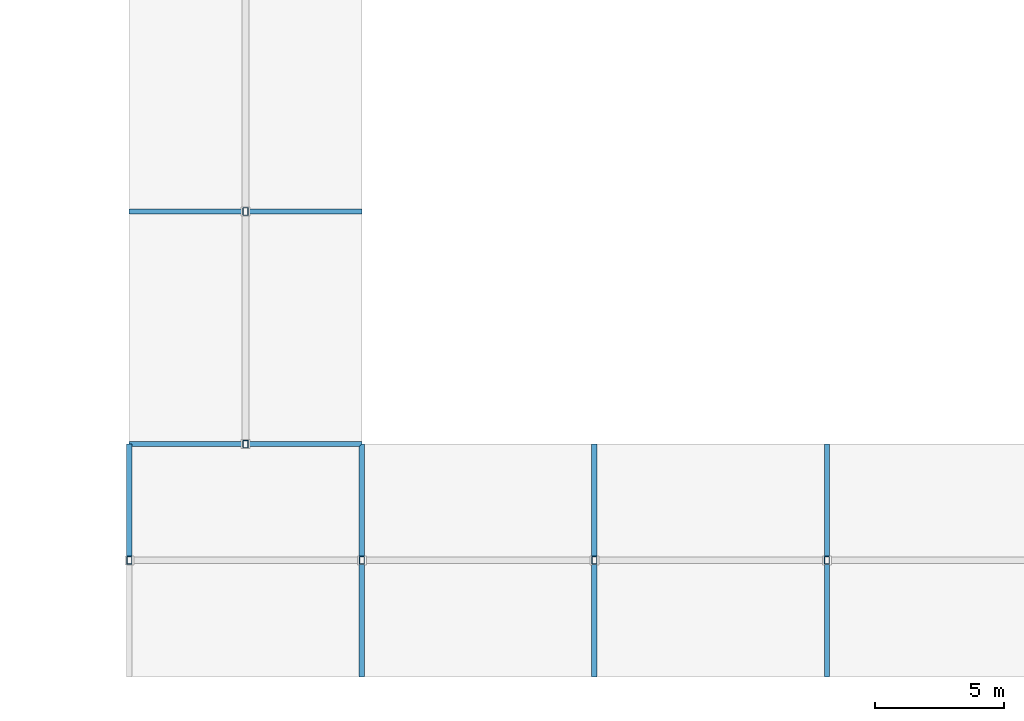
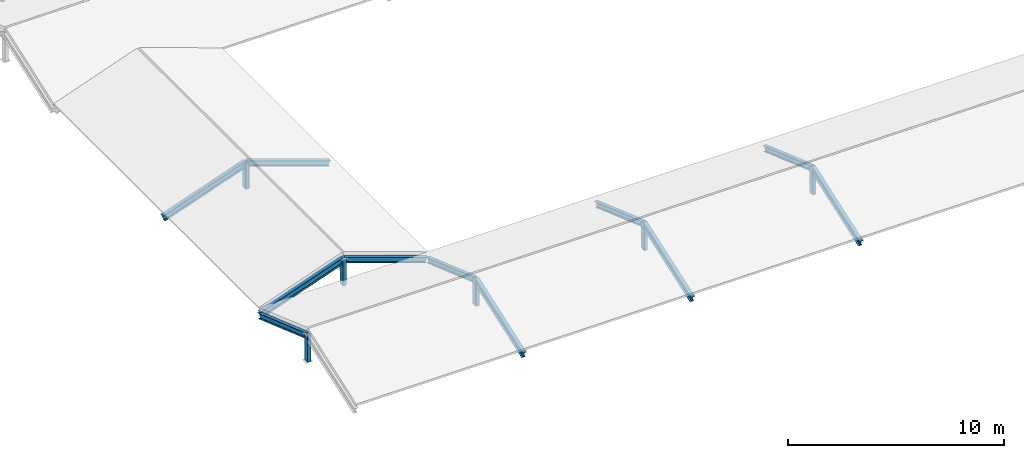
# One storey, part 8 of 80: 17 members.
"""IFC4 building model written with IfcOpenShell, lengths in metres."""

from ifc_helpers import new_model, si_unit, direction, frame, origin, origin_2d, place, context, subcontext, project, spatial, hollow_rectangle, i_section, extrude, material, material_profile, profile_set, type_object, element, save


model = new_model("IFC4")

# Units and contexts
model_context = context("Model", 3, precision=1e-05, world=origin(), true_north=direction((0.0, 1.0)))
body_context = subcontext(model_context, "Body", "Model", "MODEL_VIEW")
ifc_project = project(units=[si_unit("LENGTHUNIT", "METRE"), si_unit("AREAUNIT", "SQUARE_METRE"), si_unit("VOLUMEUNIT", "CUBIC_METRE"), si_unit("PLANEANGLEUNIT", "RADIAN"), si_unit("MASSUNIT", "GRAM", prefix="KILO")], contexts=[model_context])

# Site, building, storey
site_placement = place(None, origin())
site = spatial("IfcSite", under=ifc_project, at=site_placement, CompositionType="ELEMENT")
building_placement = place(site_placement, origin())
building = spatial("IfcBuilding", under=site, at=building_placement, Name="Miravela Opera House", CompositionType="ELEMENT")
storey_placement = place(building_placement, frame((0.0, 0.0, 17.679931640625)))
storey = spatial("IfcBuildingStorey", under=building, at=storey_placement, Name="L04", CompositionType="ELEMENT", Elevation=17.679931640625)

# Members
ifc_material_1 = material(Name="Hollow structural steel ASTM A500 Gr. C", Category="steel")
ifc_material_profile_1 = material_profile(ifc_material_1, hollow_rectangle(XDim=0.199951171875, YDim=0.300048828125, WallThickness=0.011962890625, InnerFilletRadius=0.011962890625, OuterFilletRadius=0.02392578125, at=origin_2d()), Name="HSS300X200X12")
ifc_profile_set_1 = profile_set([ifc_material_profile_1])
member_type_1 = type_object("IfcMemberType", Name="STR-MEM-POST-HSS300X200", PredefinedType="POST", material=ifc_profile_set_1)
for number, where, z_axis, x_axis, name in (
    (1, (18.0, 4.5, -0.25), (0.0, 0.0, 1.0), (1.0, 0.0, 0.0), "Roof Gable King Post ROOF-V4-WEST-S W"),
    (2, (27.0, 4.5, -0.25), (0.0, 0.0, 1.0), (1.0, 0.0, 0.0), "Roof Ridge Support Post ROOF-V4-WEST-S M1"),
    (3, (36.0, 4.5, -0.25), (0.0, 0.0, 1.0), (1.0, 0.0, 0.0), "Roof Ridge Support Post ROOF-V4-WEST-S M2"),
    (4, (45.0, 4.5, -0.25), (0.0, 0.0, 1.0), (1.0, 0.0, 0.0), "Roof Ridge Support Post ROOF-V4-WEST-S M3"),
):
    element("IfcMember", number, at=place(storey_placement, frame(where, z_axis=z_axis, x_axis=x_axis)), inside=storey, type_object=member_type_1, Name=name, PredefinedType="POST", context=body_context, shape_type="SweptSolid", body=[
        extrude(hollow_rectangle(XDim=0.199951171875, YDim=0.300048828125, WallThickness=0.011962890625, InnerFilletRadius=0.011962890625, OuterFilletRadius=0.02392578125, at=origin_2d()), origin(), (0.0, 0.0, 1.0), 1.510009765625),
    ])
for number, where, z_axis, x_axis, name in (
    (5, (22.5, 9.0, -0.25), (0.0, 0.0, 1.0), (1.0, 0.0, 0.0), "Roof Gable King Post ROOF-V4-WEST-M S"),
    (6, (22.5, 18.0, -0.25), (0.0, 0.0, 1.0), (1.0, 0.0, 0.0), "Roof Ridge Support Post ROOF-V4-WEST-M M1"),
):
    element("IfcMember", number, at=place(storey_placement, frame(where, z_axis=z_axis, x_axis=x_axis)), inside=storey, type_object=member_type_1, Name=name, PredefinedType="POST", context=body_context, shape_type="SweptSolid", body=[
        extrude(hollow_rectangle(XDim=0.199951171875, YDim=0.300048828125, WallThickness=0.011962890625, InnerFilletRadius=0.011962890625, OuterFilletRadius=0.02392578125, at=origin_2d()), origin(), (0.0, 0.0, 1.0), 1.469970703125),
    ])
ifc_material_2 = material(Name="Structural steel ASTM A992 Gr. 50", Category="steel")
ifc_material_profile_2 = material_profile(ifc_material_2, i_section(OverallWidth=0.2041015625, OverallDepth=0.35009765625, WebThickness=0.008544921875, FlangeThickness=0.01513671875, FilletRadius=0.013916015625, at=origin_2d()), Name="W360X72")
ifc_profile_set_2 = profile_set([ifc_material_profile_2])
member_type_2 = type_object("IfcMemberType", Name="STR-MEM-RAFTER-1", PredefinedType="RAFTER", material=ifc_profile_set_2)
for number, where, z_axis, x_axis, name in (
    (7, (27.0, 0.050048828125, -0.39990234375), (0.0, 0.943687918104, 0.3308369889), (-1.0, 0.0, 0.0), "Pitched Roof Rafter ROOF-V4-WEST-S S1"),
    (8, (36.0, 0.050048828125, -0.39990234375), (0.0, 0.943687918104, 0.3308369889), (-1.0, 0.0, 0.0), "Pitched Roof Rafter ROOF-V4-WEST-S S2"),
    (9, (45.0, 0.050048828125, -0.39990234375), (0.0, 0.943687918104, 0.3308369889), (-1.0, 0.0, 0.0), "Pitched Roof Rafter ROOF-V4-WEST-S S3"),
    (10, (18.050048828125, 9.0, -0.39990234375), (0.943687918104, 0.0, 0.3308369889), (0.0, 1.0, 0.0), "Pitched Roof Rafter ROOF-V4-WEST-M W0"),
    (11, (18.050048828125, 18.0, -0.39990234375), (0.943687918104, 0.0, 0.3308369889), (0.0, 1.0, 0.0), "Pitched Roof Rafter ROOF-V4-WEST-M W1"),
):
    element("IfcMember", number, at=place(storey_placement, frame(where, z_axis=z_axis, x_axis=x_axis)), inside=storey, type_object=member_type_2, Name=name, PredefinedType="RAFTER", context=body_context, shape_type="SweptSolid", body=[
        extrude(i_section(OverallWidth=0.2041015625, OverallDepth=0.35009765625, WebThickness=0.008544921875, FlangeThickness=0.01513671875, FilletRadius=0.013916015625, at=origin_2d()), origin(), (0.0, 0.0, 1.0), 4.715576171875),
    ])
ifc_material_profile_3 = material_profile(ifc_material_2, i_section(OverallWidth=0.202880859375, OverallDepth=0.302978515625, WebThickness=0.007568359375, FlangeThickness=0.01318359375, FilletRadius=0.012939453125, at=origin_2d()), Name="W310X60")
ifc_profile_set_3 = profile_set([ifc_material_profile_3])
member_type_3 = type_object("IfcMemberType", Name="STR-MEM-RAFTER-2", PredefinedType="RAFTER", material=ifc_profile_set_3)
for number, where, z_axis, x_axis, name in (
    (12, (18.0, 8.949951171875, -0.39990234375), (0.0, -0.943687918104, 0.3308369889), (1.0, 0.0, 0.0), "Pitched Roof Rafter ROOF-V4-WEST-S N0"),
    (13, (27.0, 8.949951171875, -0.39990234375), (0.0, -0.943687918104, 0.3308369889), (1.0, 0.0, 0.0), "Pitched Roof Rafter ROOF-V4-WEST-S N1"),
    (14, (36.0, 8.949951171875, -0.39990234375), (0.0, -0.943687918104, 0.3308369889), (1.0, 0.0, 0.0), "Pitched Roof Rafter ROOF-V4-WEST-S N2"),
    (15, (45.0, 8.949951171875, -0.39990234375), (0.0, -0.943687918104, 0.3308369889), (1.0, 0.0, 0.0), "Pitched Roof Rafter ROOF-V4-WEST-S N3"),
    (16, (26.949951171875, 9.0, -0.39990234375), (-0.943687918104, 0.0, 0.3308369889), (0.0, -1.0, 0.0), "Pitched Roof Rafter ROOF-V4-WEST-M E0"),
    (17, (26.949951171875, 18.0, -0.39990234375), (-0.943687918104, 0.0, 0.3308369889), (0.0, -1.0, 0.0), "Pitched Roof Rafter ROOF-V4-WEST-M E1"),
):
    element("IfcMember", number, at=place(storey_placement, frame(where, z_axis=z_axis, x_axis=x_axis)), inside=storey, type_object=member_type_3, Name=name, PredefinedType="RAFTER", context=body_context, shape_type="SweptSolid", body=[
        extrude(i_section(OverallWidth=0.202880859375, OverallDepth=0.302978515625, WebThickness=0.007568359375, FlangeThickness=0.01318359375, FilletRadius=0.012939453125, at=origin_2d()), origin(), (0.0, 0.0, 1.0), 4.715576171875),
    ])

save(model, "model.ifc")
